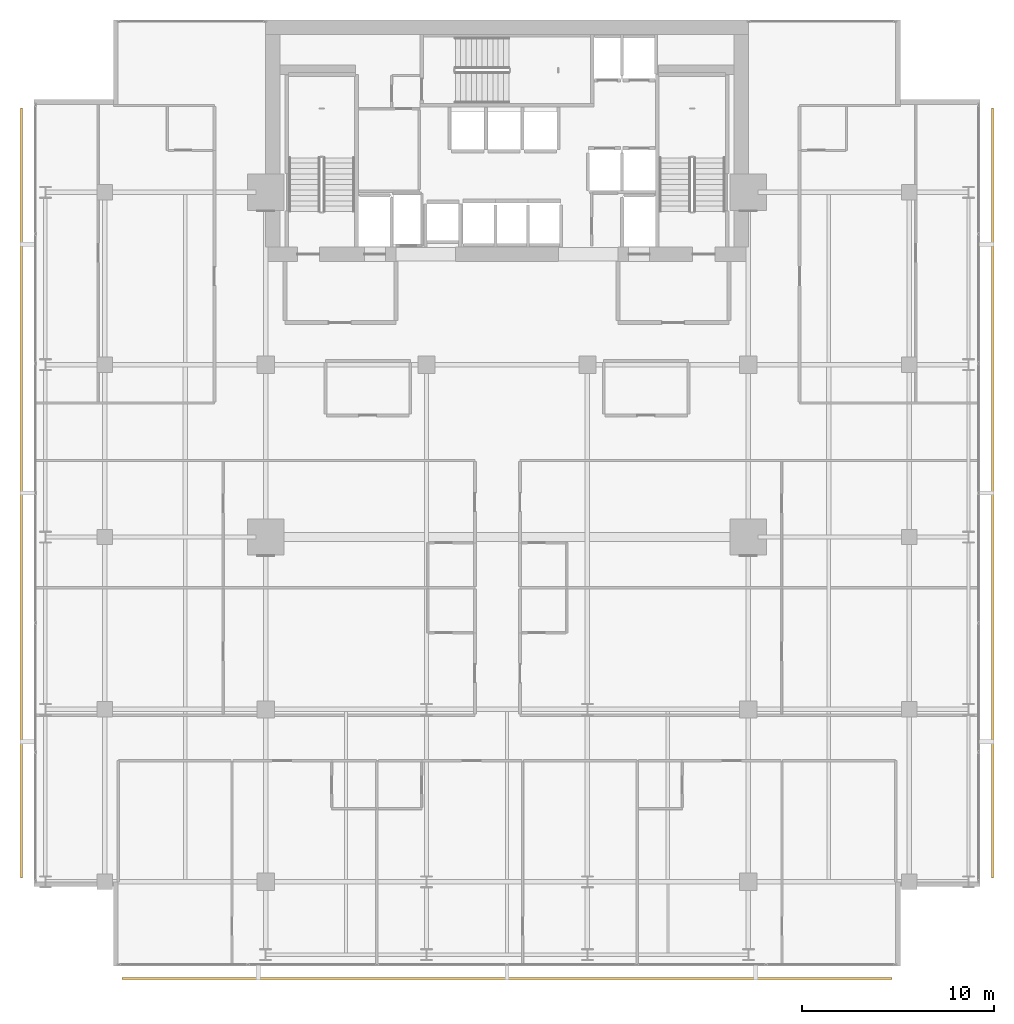
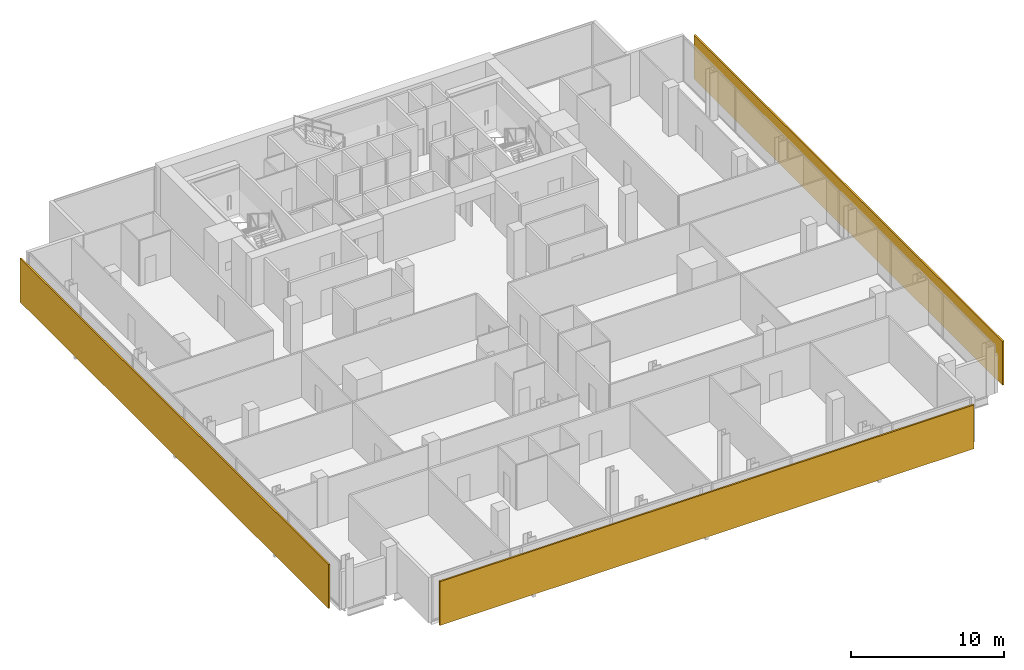
# One storey, part 31 of 32: 3 shading devices.
"""IFC4 building model written with IfcOpenShell, lengths in metres."""

from ifc_helpers import new_model, si_unit, direction, frame, origin, origin_2d, place, context, subcontext, project, spatial, rectangle, extrude, material, layer, layer_set, type_object, element, save


model = new_model("IFC4")

# Units and contexts
model_context = context("Model", 3, precision=1e-05, world=origin(), true_north=direction((0.0, 1.0)))
body_context = subcontext(model_context, "Body", "Model", "MODEL_VIEW")
ifc_project = project(units=[si_unit("LENGTHUNIT", "METRE"), si_unit("AREAUNIT", "SQUARE_METRE"), si_unit("VOLUMEUNIT", "CUBIC_METRE"), si_unit("PLANEANGLEUNIT", "RADIAN"), si_unit("MASSUNIT", "GRAM", prefix="KILO")], contexts=[model_context])

# Site, building, storey
site_placement = place(None, origin())
site = spatial("IfcSite", under=ifc_project, at=site_placement, CompositionType="ELEMENT")
building_placement = place(site_placement, origin())
building = spatial("IfcBuilding", under=site, at=building_placement, Name="Maruvema Waterfront Hotel and Observation Tower", CompositionType="ELEMENT")
storey_placement = place(building_placement, frame((0.0, 0.0, 165.89990234375)))
storey = spatial("IfcBuildingStorey", under=building, at=storey_placement, Name="L40", CompositionType="ELEMENT", Elevation=165.89990234375)

# Shading devices
ifc_material = material(Name="Honed travertine stone and anodised architectural bronze", Category="masonry")
ifc_layer = layer(ifc_material, 0.1201171875, Name="Ventilated Outer Skin Cobogo Stone-and-Bronze Screen 120 mm")
ifc_layer_set = layer_set([ifc_layer], Name="Honed travertine stone and anodised architectural bronze")
shading_device_type = type_object("IfcShadingDeviceType", Name="Ventilated Outer Skin Cobogo Stone-and-Bronze Screen 120 mm", PredefinedType="USERDEFINED", material=ifc_layer_set)
for number, where, z_axis, x_axis, name in (
    (1, (37.800048828125, 3.949951171875, 0.06005859375), (0.0, 0.0, 1.0), (1.0, 0.0, 0.0), "L40 Ventilated Double-Skin Outer Cobogo Screen OS-L40-S"),
    (2, (63.14990234375, 29.300048828125, 0.06005859375), (0.0, 0.0, 1.0), (0.0, 1.0, 0.0), "L40 Ventilated Double-Skin Outer Cobogo Screen OS-L40-E"),
    (3, (12.449951171875, 29.300048828125, 0.06005859375), (0.0, 0.0, 1.0), (0.0, -1.0, 0.0), "L40 Ventilated Double-Skin Outer Cobogo Screen OS-L40-W"),
):
    element("IfcShadingDevice", number, at=place(storey_placement, frame(where, z_axis=z_axis, x_axis=x_axis)), inside=storey, type_object=shading_device_type, Name=name, ObjectType="OUTER SKIN SCREEN", PredefinedType="USERDEFINED", context=body_context, shape_type="SweptSolid", body=[
        extrude(rectangle(XDim=40.199951171875, YDim=0.1201171875, at=origin_2d()), origin(), (0.0, 0.0, 1.0), 3.489990234375),
    ])

save(model, "model.ifc")
